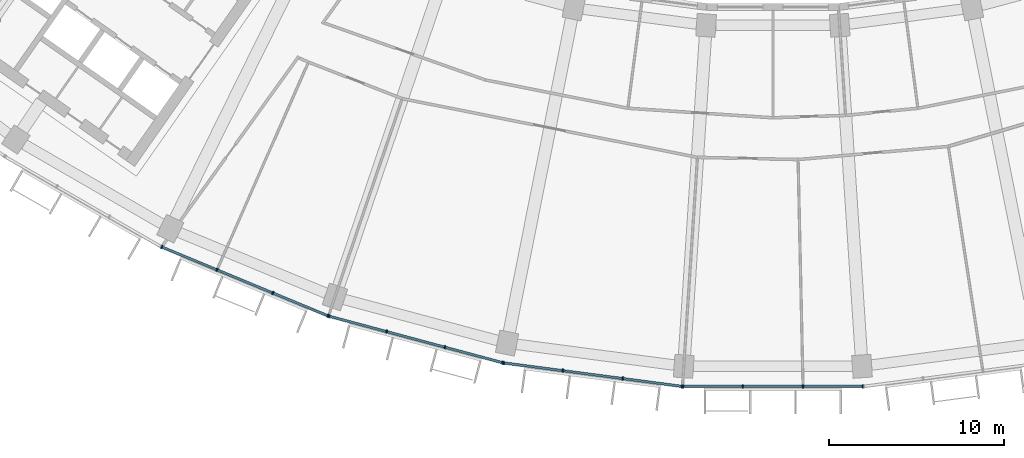
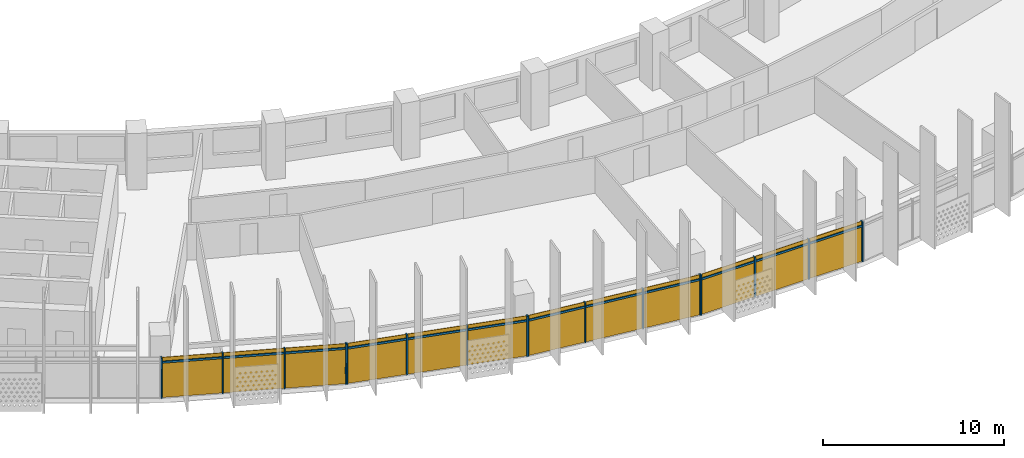
# One storey, part 18 of 27: 28 members, 4 curtain walls.
"""IFC4 building model written with IfcOpenShell, lengths in metres."""

from ifc_helpers import new_model, si_unit, direction, frame, origin, origin_2d, place, context, subcontext, project, spatial, rectangle, extrude, material, material_profile, profile_set, type_object, element, aggregate, save


model = new_model("IFC4")

# Units and contexts
model_context = context("Model", 3, precision=1e-05, world=origin(), true_north=direction((0.0, 1.0)))
body_context = subcontext(model_context, "Body", "Model", "MODEL_VIEW")
ifc_project = project(units=[si_unit("LENGTHUNIT", "METRE"), si_unit("AREAUNIT", "SQUARE_METRE"), si_unit("VOLUMEUNIT", "CUBIC_METRE"), si_unit("PLANEANGLEUNIT", "RADIAN"), si_unit("MASSUNIT", "GRAM", prefix="KILO")], contexts=[model_context])

# Member
ifc_material = material(Name="Aluminium 6063-T6 anodised", Category="aluminium")
ifc_material_profile_1 = material_profile(ifc_material, rectangle(XDim=0.199951171875, YDim=0.070068359375, at=origin_2d()))
ifc_profile_set_1 = profile_set([ifc_material_profile_1], Name="Aluminium 6063-T6 anodised")
member_type_1 = type_object("IfcMemberType", Name="Mullion 70 x 200 aluminium", PredefinedType="MULLION", material=ifc_profile_set_1)
site_placement = place(None, origin())
building_placement = place(site_placement, origin())
storey_placement = place(building_placement, frame((0.0, 0.0, 172.10009765625)))
member_1_placement = place(storey_placement, frame((-34.8701171875, -70.77392578125, 0.0), z_axis=(0.0, 0.0, 1.0), x_axis=(0.382683432365, 0.923879532511, 0.0)))
member_1 = element("IfcMember", 1, at=member_1_placement, type_object=member_type_1, Name="e-cw1-L40-out04/M00", PredefinedType="MULLION", context=body_context, shape_type="SweptSolid", body=[
    extrude(rectangle(XDim=0.199951171875, YDim=0.070068359375, at=origin_2d()), origin(), (0.0, 0.0, 1.0), 2.699951171875),
])

member_2_placement = place(storey_placement, frame((-31.72021484375, -72.078857421875, 0.0), z_axis=(0.0, 0.0, 1.0), x_axis=(0.382683432365, 0.923879532511, 0.0)))
member_2 = element("IfcMember", 2, at=member_2_placement, type_object=member_type_1, Name="e-cw1-L40-out04/M01", PredefinedType="MULLION", context=body_context, shape_type="SweptSolid", body=[
    extrude(rectangle(XDim=0.199951171875, YDim=0.070068359375, at=origin_2d()), origin(), (0.0, 0.0, 1.0), 2.699951171875),
])

member_3_placement = place(storey_placement, frame((-28.537841796875, -73.39697265625, 0.0), z_axis=(0.0, 0.0, 1.0), x_axis=(0.382683432365, 0.923879532511, 0.0)))
member_3 = element("IfcMember", 3, at=member_3_placement, type_object=member_type_1, Name="e-cw1-L40-out04/M02", PredefinedType="MULLION", context=body_context, shape_type="SweptSolid", body=[
    extrude(rectangle(XDim=0.199951171875, YDim=0.070068359375, at=origin_2d()), origin(), (0.0, 0.0, 1.0), 2.699951171875),
])

member_4_placement = place(storey_placement, frame((-25.3876953125, -74.70166015625, 0.0), z_axis=(0.0, 0.0, 1.0), x_axis=(0.382683432365, 0.923879532511, 0.0)))
member_4 = element("IfcMember", 4, at=member_4_placement, type_object=member_type_1, Name="e-cw1-L40-out04/M03", PredefinedType="MULLION", context=body_context, shape_type="SweptSolid", body=[
    extrude(rectangle(XDim=0.199951171875, YDim=0.070068359375, at=origin_2d()), origin(), (0.0, 0.0, 1.0), 2.699951171875),
])

member_5_placement = place(storey_placement, frame((-25.333984375, -74.719970703125, 0.0), z_axis=(0.0, 0.0, 1.0), x_axis=(0.258819045103, 0.965925826289, 0.0)))
member_5 = element("IfcMember", 5, at=member_5_placement, type_object=member_type_1, Name="e-cw1-L40-out05/M00", PredefinedType="MULLION", context=body_context, shape_type="SweptSolid", body=[
    extrude(rectangle(XDim=0.199951171875, YDim=0.070068359375, at=origin_2d()), origin(), (0.0, 0.0, 1.0), 2.699951171875),
])

member_6_placement = place(storey_placement, frame((-22.04052734375, -75.602294921875, 0.0), z_axis=(0.0, 0.0, 1.0), x_axis=(0.258819045103, 0.965925826289, 0.0)))
member_6 = element("IfcMember", 6, at=member_6_placement, type_object=member_type_1, Name="e-cw1-L40-out05/M01", PredefinedType="MULLION", context=body_context, shape_type="SweptSolid", body=[
    extrude(rectangle(XDim=0.199951171875, YDim=0.070068359375, at=origin_2d()), origin(), (0.0, 0.0, 1.0), 2.699951171875),
])

member_7_placement = place(storey_placement, frame((-18.71337890625, -76.493896484375, 0.0), z_axis=(0.0, 0.0, 1.0), x_axis=(0.258819045103, 0.965925826289, 0.0)))
member_7 = element("IfcMember", 7, at=member_7_placement, type_object=member_type_1, Name="e-cw1-L40-out05/M02", PredefinedType="MULLION", context=body_context, shape_type="SweptSolid", body=[
    extrude(rectangle(XDim=0.199951171875, YDim=0.070068359375, at=origin_2d()), origin(), (0.0, 0.0, 1.0), 2.699951171875),
])

member_8_placement = place(storey_placement, frame((-15.420166015625, -77.37646484375, 0.0), z_axis=(0.0, 0.0, 1.0), x_axis=(0.258819045103, 0.965925826289, 0.0)))
member_8 = element("IfcMember", 8, at=member_8_placement, type_object=member_type_1, Name="e-cw1-L40-out05/M03", PredefinedType="MULLION", context=body_context, shape_type="SweptSolid", body=[
    extrude(rectangle(XDim=0.199951171875, YDim=0.070068359375, at=origin_2d()), origin(), (0.0, 0.0, 1.0), 2.699951171875),
])

member_9_placement = place(storey_placement, frame((-15.364501953125, -77.387451171875, 0.0), z_axis=(0.0, 0.0, 1.0), x_axis=(0.13052619222, 0.991444861374, 0.0)))
member_9 = element("IfcMember", 9, at=member_9_placement, type_object=member_type_1, Name="e-cw1-L40-out06/M00", PredefinedType="MULLION", context=body_context, shape_type="SweptSolid", body=[
    extrude(rectangle(XDim=0.199951171875, YDim=0.070068359375, at=origin_2d()), origin(), (0.0, 0.0, 1.0), 2.699951171875),
])

member_10_placement = place(storey_placement, frame((-11.98388671875, -77.83251953125, 0.0), z_axis=(0.0, 0.0, 1.0), x_axis=(0.13052619222, 0.991444861374, 0.0)))
member_10 = element("IfcMember", 10, at=member_10_placement, type_object=member_type_1, Name="e-cw1-L40-out06/M01", PredefinedType="MULLION", context=body_context, shape_type="SweptSolid", body=[
    extrude(rectangle(XDim=0.199951171875, YDim=0.070068359375, at=origin_2d()), origin(), (0.0, 0.0, 1.0), 2.699951171875),
])

member_11_placement = place(storey_placement, frame((-8.56884765625, -78.2822265625, 0.0), z_axis=(0.0, 0.0, 1.0), x_axis=(0.13052619222, 0.991444861374, 0.0)))
member_11 = element("IfcMember", 11, at=member_11_placement, type_object=member_type_1, Name="e-cw1-L40-out06/M02", PredefinedType="MULLION", context=body_context, shape_type="SweptSolid", body=[
    extrude(rectangle(XDim=0.199951171875, YDim=0.070068359375, at=origin_2d()), origin(), (0.0, 0.0, 1.0), 2.699951171875),
])

member_12_placement = place(storey_placement, frame((-5.1884765625, -78.72705078125, 0.0), z_axis=(0.0, 0.0, 1.0), x_axis=(0.13052619222, 0.991444861374, 0.0)))
member_12 = element("IfcMember", 12, at=member_12_placement, type_object=member_type_1, Name="e-cw1-L40-out06/M03", PredefinedType="MULLION", context=body_context, shape_type="SweptSolid", body=[
    extrude(rectangle(XDim=0.199951171875, YDim=0.070068359375, at=origin_2d()), origin(), (0.0, 0.0, 1.0), 2.699951171875),
])

member_13_placement = place(storey_placement, frame((-5.1318359375, -78.73095703125, 0.0), z_axis=(0.0, 0.0, 1.0), x_axis=(0.0, 1.0, 0.0)))
member_13 = element("IfcMember", 13, at=member_13_placement, type_object=member_type_1, Name="e-cw1-L40-out07/M00", PredefinedType="MULLION", context=body_context, shape_type="SweptSolid", body=[
    extrude(rectangle(XDim=0.199951171875, YDim=0.070068359375, at=origin_2d()), origin(), (0.0, 0.0, 1.0), 2.699951171875),
])

member_14_placement = place(storey_placement, frame((-1.72216796875, -78.73095703125, 0.0), z_axis=(0.0, 0.0, 1.0), x_axis=(0.0, 1.0, 0.0)))
member_14 = element("IfcMember", 14, at=member_14_placement, type_object=member_type_1, Name="e-cw1-L40-out07/M01", PredefinedType="MULLION", context=body_context, shape_type="SweptSolid", body=[
    extrude(rectangle(XDim=0.199951171875, YDim=0.070068359375, at=origin_2d()), origin(), (0.0, 0.0, 1.0), 2.699951171875),
])

member_15_placement = place(storey_placement, frame((1.72216796875, -78.73095703125, 0.0), z_axis=(0.0, 0.0, 1.0), x_axis=(0.0, 1.0, 0.0)))
member_15 = element("IfcMember", 15, at=member_15_placement, type_object=member_type_1, Name="e-cw1-L40-out07/M02", PredefinedType="MULLION", context=body_context, shape_type="SweptSolid", body=[
    extrude(rectangle(XDim=0.199951171875, YDim=0.070068359375, at=origin_2d()), origin(), (0.0, 0.0, 1.0), 2.699951171875),
])

member_16_placement = place(storey_placement, frame((5.1318359375, -78.73095703125, 0.0), z_axis=(0.0, 0.0, 1.0), x_axis=(0.0, 1.0, 0.0)))
member_16 = element("IfcMember", 16, at=member_16_placement, type_object=member_type_1, Name="e-cw1-L40-out07/M03", PredefinedType="MULLION", context=body_context, shape_type="SweptSolid", body=[
    extrude(rectangle(XDim=0.199951171875, YDim=0.070068359375, at=origin_2d()), origin(), (0.0, 0.0, 1.0), 2.699951171875),
])

ifc_material_profile_2 = material_profile(ifc_material, rectangle(XDim=0.139892578125, YDim=0.1201171875, at=origin_2d()))
ifc_profile_set_2 = profile_set([ifc_material_profile_2], Name="Aluminium 6063-T6 anodised")
member_type_2 = type_object("IfcMemberType", Name="Transom 120 x 140 aluminium", PredefinedType="USERDEFINED", material=ifc_profile_set_2)
member_17_placement = place(storey_placement, frame((-34.837890625, -70.787353515625, 2.39990234375), z_axis=(0.923875164544, -0.382693977401, 0.0), x_axis=(0.382693977401, 0.923875164544, 0.0)))
member_17 = element("IfcMember", 17, at=member_17_placement, type_object=member_type_2, Name="e-cw1-L40-out04/T00", ObjectType="TRANSOM", PredefinedType="USERDEFINED", context=body_context, shape_type="SweptSolid", body=[
    extrude(rectangle(XDim=0.139892578125, YDim=0.1201171875, at=origin_2d()), origin(), (0.0, 0.0, 1.0), 3.339599609375),
])

member_18_placement = place(storey_placement, frame((-31.687744140625, -72.092041015625, 2.39990234375), z_axis=(0.923866926753, -0.382713863941, 0.0), x_axis=(0.382713863941, 0.923866926753, 0.0)))
member_18 = element("IfcMember", 18, at=member_18_placement, type_object=member_type_2, Name="e-cw1-L40-out04/T01", ObjectType="TRANSOM", PredefinedType="USERDEFINED", context=body_context, shape_type="SweptSolid", body=[
    extrude(rectangle(XDim=0.139892578125, YDim=0.1201171875, at=origin_2d()), origin(), (0.0, 0.0, 1.0), 3.37451171875),
])

member_19_placement = place(storey_placement, frame((-28.50537109375, -73.410400390625, 2.39990234375), z_axis=(0.923890305385, -0.382657423311, 0.0), x_axis=(0.382657423311, 0.923890305385, 0.0)))
member_19 = element("IfcMember", 19, at=member_19_placement, type_object=member_type_2, Name="e-cw1-L40-out04/T02", ObjectType="TRANSOM", PredefinedType="USERDEFINED", context=body_context, shape_type="SweptSolid", body=[
    extrude(rectangle(XDim=0.139892578125, YDim=0.1201171875, at=origin_2d()), origin(), (0.0, 0.0, 1.0), 3.33935546875),
])

member_20_placement = place(storey_placement, frame((-25.30029296875, -74.72900390625, 2.39990234375), z_axis=(0.965933368091, -0.258790897074, 0.0), x_axis=(0.258790897074, 0.965933368091, 0.0)))
member_20 = element("IfcMember", 20, at=member_20_placement, type_object=member_type_2, Name="e-cw1-L40-out05/T00", ObjectType="TRANSOM", PredefinedType="USERDEFINED", context=body_context, shape_type="SweptSolid", body=[
    extrude(rectangle(XDim=0.139892578125, YDim=0.1201171875, at=origin_2d()), origin(), (0.0, 0.0, 1.0), 3.339599609375),
])

member_21_placement = place(storey_placement, frame((-22.0068359375, -75.611572265625, 2.39990234375), z_axis=(0.965932873966, -0.258792741381, 0.0), x_axis=(0.258792741381, 0.965932873966, 0.0)))
member_21 = element("IfcMember", 21, at=member_21_placement, type_object=member_type_2, Name="e-cw1-L40-out05/T01", ObjectType="TRANSOM", PredefinedType="USERDEFINED", context=body_context, shape_type="SweptSolid", body=[
    extrude(rectangle(XDim=0.139892578125, YDim=0.1201171875, at=origin_2d()), origin(), (0.0, 0.0, 1.0), 3.37451171875),
])

member_22_placement = place(storey_placement, frame((-18.6796875, -76.5029296875, 2.39990234375), z_axis=(0.96591509168, -0.258859103886, 0.0), x_axis=(0.258859103886, 0.96591509168, 0.0)))
member_22 = element("IfcMember", 22, at=member_22_placement, type_object=member_type_2, Name="e-cw1-L40-out05/T02", ObjectType="TRANSOM", PredefinedType="USERDEFINED", context=body_context, shape_type="SweptSolid", body=[
    extrude(rectangle(XDim=0.139892578125, YDim=0.1201171875, at=origin_2d()), origin(), (0.0, 0.0, 1.0), 3.339599609375),
])

member_23_placement = place(storey_placement, frame((-15.32958984375, -77.39208984375, 2.39990234375), z_axis=(0.991448073325, -0.130501792706, 0.0), x_axis=(0.130501792706, 0.991448073325, 0.0)))
member_23 = element("IfcMember", 23, at=member_23_placement, type_object=member_type_2, Name="e-cw1-L40-out06/T00", ObjectType="TRANSOM", PredefinedType="USERDEFINED", context=body_context, shape_type="SweptSolid", body=[
    extrude(rectangle(XDim=0.139892578125, YDim=0.1201171875, at=origin_2d()), origin(), (0.0, 0.0, 1.0), 3.33935546875),
])

member_24_placement = place(storey_placement, frame((-11.94921875, -77.837158203125, 2.39990234375), z_axis=(0.991446413845, -0.130514399487, 0.0), x_axis=(0.130514399487, 0.991446413845, 0.0)))
member_24 = element("IfcMember", 24, at=member_24_placement, type_object=member_type_2, Name="e-cw1-L40-out06/T01", ObjectType="TRANSOM", PredefinedType="USERDEFINED", context=body_context, shape_type="SweptSolid", body=[
    extrude(rectangle(XDim=0.139892578125, YDim=0.1201171875, at=origin_2d()), origin(), (0.0, 0.0, 1.0), 3.37451171875),
])

member_25_placement = place(storey_placement, frame((-8.5341796875, -78.28662109375, 2.39990234375), z_axis=(0.991439857731, -0.130564193033, 0.0), x_axis=(0.130564193033, 0.991439857731, 0.0)))
member_25 = element("IfcMember", 25, at=member_25_placement, type_object=member_type_2, Name="e-cw1-L40-out06/T02", ObjectType="TRANSOM", PredefinedType="USERDEFINED", context=body_context, shape_type="SweptSolid", body=[
    extrude(rectangle(XDim=0.139892578125, YDim=0.1201171875, at=origin_2d()), origin(), (0.0, 0.0, 1.0), 3.339599609375),
])

member_26_placement = place(storey_placement, frame((-5.096923828125, -78.73095703125, 2.39990234375), z_axis=(1.0, 0.0, 0.0), x_axis=(0.0, 1.0, 0.0)))
member_26 = element("IfcMember", 26, at=member_26_placement, type_object=member_type_2, Name="e-cw1-L40-out07/T00", ObjectType="TRANSOM", PredefinedType="USERDEFINED", context=body_context, shape_type="SweptSolid", body=[
    extrude(rectangle(XDim=0.139892578125, YDim=0.1201171875, at=origin_2d()), origin(), (0.0, 0.0, 1.0), 3.339599609375),
])

member_27_placement = place(storey_placement, frame((-1.687255859375, -78.73095703125, 2.39990234375), z_axis=(1.0, 0.0, 0.0), x_axis=(0.0, 1.0, 0.0)))
member_27 = element("IfcMember", 27, at=member_27_placement, type_object=member_type_2, Name="e-cw1-L40-out07/T01", ObjectType="TRANSOM", PredefinedType="USERDEFINED", context=body_context, shape_type="SweptSolid", body=[
    extrude(rectangle(XDim=0.139892578125, YDim=0.1201171875, at=origin_2d()), origin(), (0.0, 0.0, 1.0), 3.37451171875),
])

member_28_placement = place(storey_placement, frame((1.75732421875, -78.73095703125, 2.39990234375), z_axis=(1.0, 0.0, 0.0), x_axis=(0.0, 1.0, 0.0)))
member_28 = element("IfcMember", 28, at=member_28_placement, type_object=member_type_2, Name="e-cw1-L40-out07/T02", ObjectType="TRANSOM", PredefinedType="USERDEFINED", context=body_context, shape_type="SweptSolid", body=[
    extrude(rectangle(XDim=0.139892578125, YDim=0.1201171875, at=origin_2d()), origin(), (0.0, 0.0, 1.0), 3.339599609375),
])

# Site, building, storey
site = spatial("IfcSite", under=ifc_project, at=site_placement, CompositionType="ELEMENT")
building = spatial("IfcBuilding", under=site, at=building_placement, Name="Qamariyya Broadcast Tower", CompositionType="ELEMENT")
storey = spatial("IfcBuildingStorey", under=building, at=storey_placement, Name="L40", CompositionType="ELEMENT", Elevation=172.10009765625)

# Curtain wall
curtain_wall_type = type_object("IfcCurtainWallType", Name="Unitised curtain wall, anodised aluminium", PredefinedType="NOTDEFINED", material=ifc_material)
curtain_wall_1_placement = place(storey_placement, origin())
curtain_wall_1 = element("IfcCurtainWall", 29, at=curtain_wall_1_placement, inside=storey, type_object=curtain_wall_type, Name="e-cw1-L40-out04", PredefinedType="NOTDEFINED", context=body_context, shape_type="SweptSolid", body=[
    extrude(rectangle(XDim=3.339599609375, YDim=0.031982421875, at=origin_2d()), frame((-33.295166015625, -71.42626953125, 0.0), x_axis=(0.923878040314, -0.382687034829, 0.0)), (0.0, 0.0, 1.0), 2.340087890625),
    extrude(rectangle(XDim=3.339599609375, YDim=0.031982421875, at=origin_2d()), frame((-33.295166015625, -71.42626953125, 2.4599609375), x_axis=(0.923878040314, -0.382687034829, 0.0)), (0.0, 0.0, 1.0), 0.239990234375),
    extrude(rectangle(XDim=3.37451171875, YDim=0.031982421875, at=origin_2d()), frame((-30.12890625, -72.73779296875, 0.0), x_axis=(0.923878040314, -0.382687034829, 0.0)), (0.0, 0.0, 1.0), 2.340087890625),
    extrude(rectangle(XDim=3.37451171875, YDim=0.031982421875, at=origin_2d()), frame((-30.12890625, -72.73779296875, 2.4599609375), x_axis=(0.923878040314, -0.382687034829, 0.0)), (0.0, 0.0, 1.0), 0.239990234375),
    extrude(rectangle(XDim=3.339599609375, YDim=0.031982421875, at=origin_2d()), frame((-26.962890625, -74.04931640625, 0.0), x_axis=(0.923878040314, -0.382687034829, 0.0)), (0.0, 0.0, 1.0), 2.340087890625),
    extrude(rectangle(XDim=3.339599609375, YDim=0.031982421875, at=origin_2d()), frame((-26.962890625, -74.04931640625, 2.4599609375), x_axis=(0.923878040314, -0.382687034829, 0.0)), (0.0, 0.0, 1.0), 0.239990234375),
])

aggregate(curtain_wall_1, [member_1, member_2, member_3, member_4, member_17, member_18, member_19])

curtain_wall_2_placement = place(storey_placement, origin())
curtain_wall_2 = element("IfcCurtainWall", 30, at=curtain_wall_2_placement, inside=storey, type_object=curtain_wall_type, Name="e-cw1-L40-out05", PredefinedType="NOTDEFINED", context=body_context, shape_type="SweptSolid", body=[
    extrude(rectangle(XDim=3.339599609375, YDim=0.031982421875, at=origin_2d()), frame((-23.6875, -75.1611328125, 0.0), x_axis=(0.965926433062, -0.258816780584, 0.0)), (0.0, 0.0, 1.0), 2.340087890625),
    extrude(rectangle(XDim=3.339599609375, YDim=0.031982421875, at=origin_2d()), frame((-23.6875, -75.1611328125, 2.4599609375), x_axis=(0.965926433062, -0.258816780584, 0.0)), (0.0, 0.0, 1.0), 0.239990234375),
    extrude(rectangle(XDim=3.37451171875, YDim=0.031982421875, at=origin_2d()), frame((-20.376953125, -76.04833984375, 0.0), x_axis=(0.965926433062, -0.258816780584, 0.0)), (0.0, 0.0, 1.0), 2.340087890625),
    extrude(rectangle(XDim=3.37451171875, YDim=0.031982421875, at=origin_2d()), frame((-20.376953125, -76.04833984375, 2.4599609375), x_axis=(0.965926433062, -0.258816780584, 0.0)), (0.0, 0.0, 1.0), 0.239990234375),
    extrude(rectangle(XDim=3.339599609375, YDim=0.031982421875, at=origin_2d()), frame((-17.066650390625, -76.935302734375, 0.0), x_axis=(0.965926433062, -0.258816780584, 0.0)), (0.0, 0.0, 1.0), 2.340087890625),
    extrude(rectangle(XDim=3.339599609375, YDim=0.031982421875, at=origin_2d()), frame((-17.066650390625, -76.935302734375, 2.4599609375), x_axis=(0.965926433062, -0.258816780584, 0.0)), (0.0, 0.0, 1.0), 0.239990234375),
])

aggregate(curtain_wall_2, [member_5, member_6, member_7, member_8, member_20, member_21, member_22])

curtain_wall_3_placement = place(storey_placement, origin())
curtain_wall_3 = element("IfcCurtainWall", 31, at=curtain_wall_3_placement, inside=storey, type_object=curtain_wall_type, Name="e-cw1-L40-out06", PredefinedType="NOTDEFINED", context=body_context, shape_type="SweptSolid", body=[
    extrude(rectangle(XDim=3.339599609375, YDim=0.031982421875, at=origin_2d()), frame((-13.67431640625, -77.60986328125, 0.0), x_axis=(0.991444240905, -0.130530905064, 0.0)), (0.0, 0.0, 1.0), 2.340087890625),
    extrude(rectangle(XDim=3.339599609375, YDim=0.031982421875, at=origin_2d()), frame((-13.67431640625, -77.60986328125, 2.4599609375), x_axis=(0.991444240905, -0.130530905064, 0.0)), (0.0, 0.0, 1.0), 0.239990234375),
    extrude(rectangle(XDim=3.37451171875, YDim=0.031982421875, at=origin_2d()), frame((-10.2763671875, -78.05712890625, 0.0), x_axis=(0.991444240905, -0.130530905064, 0.0)), (0.0, 0.0, 1.0), 2.340087890625),
    extrude(rectangle(XDim=3.37451171875, YDim=0.031982421875, at=origin_2d()), frame((-10.2763671875, -78.05712890625, 2.4599609375), x_axis=(0.991444240905, -0.130530905064, 0.0)), (0.0, 0.0, 1.0), 0.239990234375),
    extrude(rectangle(XDim=3.339599609375, YDim=0.031982421875, at=origin_2d()), frame((-6.878662109375, -78.504638671875, 0.0), x_axis=(0.991444240905, -0.130530905064, 0.0)), (0.0, 0.0, 1.0), 2.340087890625),
    extrude(rectangle(XDim=3.339599609375, YDim=0.031982421875, at=origin_2d()), frame((-6.878662109375, -78.504638671875, 2.4599609375), x_axis=(0.991444240905, -0.130530905064, 0.0)), (0.0, 0.0, 1.0), 0.239990234375),
])

aggregate(curtain_wall_3, [member_9, member_10, member_11, member_12, member_23, member_24, member_25])

curtain_wall_4_placement = place(storey_placement, origin())
curtain_wall_4 = element("IfcCurtainWall", 32, at=curtain_wall_4_placement, inside=storey, type_object=curtain_wall_type, Name="e-cw1-L40-out07", PredefinedType="NOTDEFINED", context=body_context, shape_type="SweptSolid", body=[
    extrude(rectangle(XDim=3.339599609375, YDim=0.031982421875, at=origin_2d()), frame((-3.427001953125, -78.73095703125, 0.0), x_axis=(1.0, 0.0, 0.0)), (0.0, 0.0, 1.0), 2.340087890625),
    extrude(rectangle(XDim=3.339599609375, YDim=0.031982421875, at=origin_2d()), frame((-3.427001953125, -78.73095703125, 2.4599609375), x_axis=(1.0, 0.0, 0.0)), (0.0, 0.0, 1.0), 0.239990234375),
    extrude(rectangle(XDim=3.37451171875, YDim=0.031982421875, at=origin_2d()), frame((0.0, -78.73095703125, 0.0), x_axis=(1.0, 0.0, 0.0)), (0.0, 0.0, 1.0), 2.340087890625),
    extrude(rectangle(XDim=3.37451171875, YDim=0.031982421875, at=origin_2d()), frame((0.0, -78.73095703125, 2.4599609375), x_axis=(1.0, 0.0, 0.0)), (0.0, 0.0, 1.0), 0.239990234375),
    extrude(rectangle(XDim=3.339599609375, YDim=0.031982421875, at=origin_2d()), frame((3.427001953125, -78.73095703125, 0.0), x_axis=(1.0, 0.0, 0.0)), (0.0, 0.0, 1.0), 2.340087890625),
    extrude(rectangle(XDim=3.339599609375, YDim=0.031982421875, at=origin_2d()), frame((3.427001953125, -78.73095703125, 2.4599609375), x_axis=(1.0, 0.0, 0.0)), (0.0, 0.0, 1.0), 0.239990234375),
])

aggregate(curtain_wall_4, [member_13, member_14, member_15, member_16, member_26, member_27, member_28])

save(model, "model.ifc")
